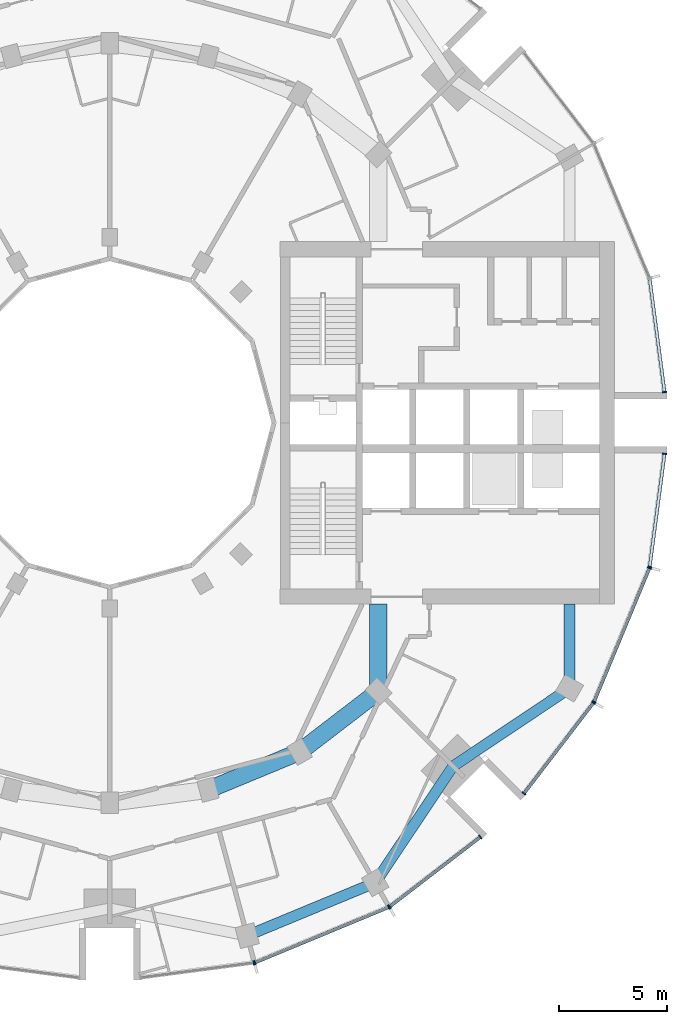
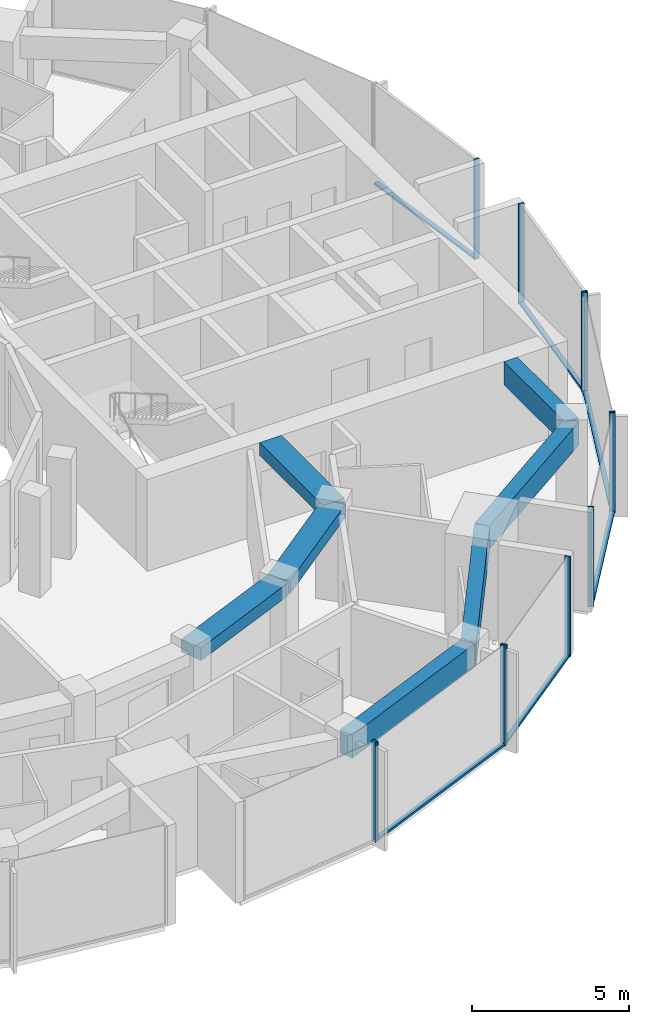
# One storey, part 4 of 15: 18 members, 7 beams, 7 elements without a shape of their own.
"""IFC4 building model written with IfcOpenShell, lengths in metres."""

from ifc_helpers import new_model, si_unit, direction, frame, origin, origin_2d, place, context, subcontext, project, spatial, rectangle, extrude, material, layer, layer_set, material_profile, profile_set, type_object, element, aggregate, save


model = new_model("IFC4")

# Units and contexts
model_context = context("Model", 3, precision=1e-05, world=origin(), true_north=direction((0.0, 1.0)))
body_context = subcontext(model_context, "Body", "Model", "MODEL_VIEW")
ifc_project = project(units=[si_unit("LENGTHUNIT", "METRE"), si_unit("AREAUNIT", "SQUARE_METRE"), si_unit("VOLUMEUNIT", "CUBIC_METRE"), si_unit("PLANEANGLEUNIT", "RADIAN"), si_unit("MASSUNIT", "GRAM", prefix="KILO")], contexts=[model_context])

# Site, building, storey
site_placement = place(None, origin())
site = spatial("IfcSite", under=ifc_project, at=site_placement, CompositionType="ELEMENT")
building_placement = place(site_placement, origin())
building = spatial("IfcBuilding", under=site, at=building_placement, Name="Torre Brocal", CompositionType="ELEMENT")
storey_placement = place(building_placement, frame((0.0, 0.0, 126.300048828125)))
storey = spatial("IfcBuildingStorey", under=building, at=storey_placement, Name="L29", CompositionType="ELEMENT", Elevation=126.300048828125)

# Curtain wall, member
ifc_material_1 = material(Name="Aluminium and glass", Category="aluminium")
ifc_layer_1 = layer(ifc_material_1, 0.199951171875)
ifc_layer_set_1 = layer_set([ifc_layer_1], Name="Aluminium and glass")
curtain_wall_type_1 = type_object("IfcCurtainWallType", Name="CW-1 CURTAIN WALL 3900 HIGH", PredefinedType="NOTDEFINED", material=ifc_layer_set_1)
curtain_wall_1_placement = place(storey_placement, origin())
curtain_wall_1 = element("IfcCurtainWall", 1, at=curtain_wall_1_placement, inside=storey, type_object=curtain_wall_type_1, Name="CW-1 RUN 19", PredefinedType="NOTDEFINED")
ifc_material_2 = material(Name="Aluminium, dark anodised", Category="aluminium")
ifc_material_profile_1 = material_profile(ifc_material_2, rectangle(XDim=0.199951171875, YDim=0.06005859375, at=origin_2d()), Name="CW-1 MULLION 60X200")
ifc_profile_set_1 = profile_set([ifc_material_profile_1], Name="Aluminium, dark anodised")
member_type_1 = type_object("IfcMemberType", Name="CW-1 MULLION 60X200", PredefinedType="MULLION", material=ifc_profile_set_1)
member_1_placement = place(storey_placement, frame((86.67333984375, 49.9794921875, 0.0), z_axis=(0.0, 0.0, 1.0), x_axis=(-0.13052619222, 0.991444861374, 0.0)))
member_1 = element("IfcMember", 2, at=member_1_placement, type_object=member_type_1, Name="CW1-3 mullion 2", PredefinedType="MULLION", context=body_context, shape_type="SweptSolid", body=[
    extrude(rectangle(XDim=0.199951171875, YDim=0.06005859375, at=origin_2d()), origin(), (0.0, 0.0, 1.0), 3.89990234375),
])
aggregate(curtain_wall_1, [member_1])

# Curtain wall, members
curtain_wall_2_placement = place(storey_placement, origin())
curtain_wall_2 = element("IfcCurtainWall", 3, at=curtain_wall_2_placement, inside=storey, type_object=curtain_wall_type_1, Name="CW-1 RUN 20", PredefinedType="NOTDEFINED")
member_2_placement = place(storey_placement, frame((86.73095703125, 49.994873046875, 0.0), z_axis=(0.0, 0.0, 1.0), x_axis=(-0.382683432333, 0.923879532525, 0.0)))
member_2 = element("IfcMember", 4, at=member_2_placement, type_object=member_type_1, Name="CW1-3 mullion 1", PredefinedType="MULLION", context=body_context, shape_type="SweptSolid", body=[
    extrude(rectangle(XDim=0.199951171875, YDim=0.06005859375, at=origin_2d()), origin(), (0.0, 0.0, 1.0), 3.89990234375),
])
member_3_placement = place(storey_placement, frame((92.921875, 52.559326171875, 0.0), z_axis=(0.0, 0.0, 1.0), x_axis=(-0.382683432333, 0.923879532525, 0.0)))
member_3 = element("IfcMember", 5, at=member_3_placement, type_object=member_type_1, Name="CW1-3 mullion 2", PredefinedType="MULLION", context=body_context, shape_type="SweptSolid", body=[
    extrude(rectangle(XDim=0.199951171875, YDim=0.06005859375, at=origin_2d()), origin(), (0.0, 0.0, 1.0), 3.89990234375),
])

curtain_wall_3_placement = place(storey_placement, origin())
curtain_wall_3 = element("IfcCurtainWall", 6, at=curtain_wall_3_placement, inside=storey, type_object=curtain_wall_type_1, Name="CW-1 RUN 21", PredefinedType="NOTDEFINED")
member_4_placement = place(storey_placement, frame((92.973388671875, 52.5888671875, 0.0), z_axis=(0.0, 0.0, 1.0), x_axis=(-0.60876142905, 0.793353340259, 0.0)))
member_4 = element("IfcMember", 7, at=member_4_placement, type_object=member_type_1, Name="CW1-3 mullion 1", PredefinedType="MULLION", context=body_context, shape_type="SweptSolid", body=[
    extrude(rectangle(XDim=0.199951171875, YDim=0.06005859375, at=origin_2d()), origin(), (0.0, 0.0, 1.0), 3.89990234375),
])
member_5_placement = place(storey_placement, frame((97.16943359375, 55.80859375, 0.0), z_axis=(0.0, 0.0, 1.0), x_axis=(-0.60876142905, 0.793353340259, 0.0)))
member_5 = element("IfcMember", 8, at=member_5_placement, type_object=member_type_1, Name="CW1-3 mullion 2", PredefinedType="MULLION", context=body_context, shape_type="SweptSolid", body=[
    extrude(rectangle(XDim=0.199951171875, YDim=0.06005859375, at=origin_2d()), origin(), (0.0, 0.0, 1.0), 3.89990234375),
])

curtain_wall_4_placement = place(storey_placement, origin())
curtain_wall_4 = element("IfcCurtainWall", 9, at=curtain_wall_4_placement, inside=storey, type_object=curtain_wall_type_1, Name="CW-1 RUN 22", PredefinedType="NOTDEFINED")
member_6_placement = place(storey_placement, frame((99.19140625, 57.83056640625, 0.0), z_axis=(0.0, 0.0, 1.0), x_axis=(-0.793353340259, 0.60876142905, 0.0)))
member_6 = element("IfcMember", 10, at=member_6_placement, type_object=member_type_1, Name="CW1-3 mullion 1", PredefinedType="MULLION", context=body_context, shape_type="SweptSolid", body=[
    extrude(rectangle(XDim=0.199951171875, YDim=0.06005859375, at=origin_2d()), origin(), (0.0, 0.0, 1.0), 3.89990234375),
])
member_7_placement = place(storey_placement, frame((102.4111328125, 62.026611328125, 0.0), z_axis=(0.0, 0.0, 1.0), x_axis=(-0.793353340259, 0.60876142905, 0.0)))
member_7 = element("IfcMember", 11, at=member_7_placement, type_object=member_type_1, Name="CW1-3 mullion 2", PredefinedType="MULLION", context=body_context, shape_type="SweptSolid", body=[
    extrude(rectangle(XDim=0.199951171875, YDim=0.06005859375, at=origin_2d()), origin(), (0.0, 0.0, 1.0), 3.89990234375),
])

curtain_wall_5_placement = place(storey_placement, origin())
curtain_wall_5 = element("IfcCurtainWall", 12, at=curtain_wall_5_placement, inside=storey, type_object=curtain_wall_type_1, Name="CW-1 RUN 23", PredefinedType="NOTDEFINED")
member_8_placement = place(storey_placement, frame((102.440673828125, 62.078125, 0.0), z_axis=(0.0, 0.0, 1.0), x_axis=(-0.923879532525, 0.382683432333, 0.0)))
member_8 = element("IfcMember", 13, at=member_8_placement, type_object=member_type_1, Name="CW1-3 mullion 1", PredefinedType="MULLION", context=body_context, shape_type="SweptSolid", body=[
    extrude(rectangle(XDim=0.199951171875, YDim=0.06005859375, at=origin_2d()), origin(), (0.0, 0.0, 1.0), 3.89990234375),
])
member_9_placement = place(storey_placement, frame((105.005126953125, 68.26904296875, 0.0), z_axis=(0.0, 0.0, 1.0), x_axis=(-0.923879532525, 0.382683432333, 0.0)))
member_9 = element("IfcMember", 14, at=member_9_placement, type_object=member_type_1, Name="CW1-3 mullion 2", PredefinedType="MULLION", context=body_context, shape_type="SweptSolid", body=[
    extrude(rectangle(XDim=0.199951171875, YDim=0.06005859375, at=origin_2d()), origin(), (0.0, 0.0, 1.0), 3.89990234375),
])

# Member
ifc_material_3 = material(Name="Aluminium, dark anodised", Category="aluminium")
ifc_material_profile_2 = material_profile(ifc_material_3, rectangle(XDim=0.159912109375, YDim=0.080078125, at=origin_2d()), Name="CW-1 TRANSOM 160X80")
ifc_profile_set_2 = profile_set([ifc_material_profile_2], Name="Aluminium, dark anodised")
member_type_2 = type_object("IfcMemberType", Name="CW-1 TRANSOM 160X80", PredefinedType="USERDEFINED", material=ifc_profile_set_2)
member_10_placement = place(storey_placement, frame((86.758544921875, 50.00634765625, 0.0400390625), z_axis=(0.923887344364, 0.38266457234, 0.0), x_axis=(-0.38266457234, 0.923887344364, 0.0)))
member_10 = element("IfcMember", 15, at=member_10_placement, type_object=member_type_2, Name="CW1-3 transom 1.1", ObjectType="TRANSOM", PredefinedType="USERDEFINED", context=body_context, shape_type="SweptSolid", body=[
    extrude(rectangle(XDim=0.159912109375, YDim=0.080078125, at=origin_2d()), origin(), (0.0, 0.0, 1.0), 6.640869140625),
])

aggregate(curtain_wall_2, [member_2, member_3, member_10])

member_11_placement = place(storey_placement, frame((92.9970703125, 52.607177734375, 0.0400390625), z_axis=(0.79336281513, 0.60874908096, 0.0), x_axis=(-0.60874908096, 0.79336281513, 0.0)))
member_11 = element("IfcMember", 16, at=member_11_placement, type_object=member_type_2, Name="CW1-3 transom 1.1", ObjectType="TRANSOM", PredefinedType="USERDEFINED", context=body_context, shape_type="SweptSolid", body=[
    extrude(rectangle(XDim=0.159912109375, YDim=0.080078125, at=origin_2d()), origin(), (0.0, 0.0, 1.0), 5.22900390625),
])

aggregate(curtain_wall_3, [member_4, member_5, member_11])

member_12_placement = place(storey_placement, frame((99.209716796875, 57.8544921875, 0.0400390625), z_axis=(0.60874908096, 0.79336281513, 0.0), x_axis=(-0.79336281513, 0.60874908096, 0.0)))
member_12 = element("IfcMember", 17, at=member_12_placement, type_object=member_type_2, Name="CW1-3 transom 1.1", ObjectType="TRANSOM", PredefinedType="USERDEFINED", context=body_context, shape_type="SweptSolid", body=[
    extrude(rectangle(XDim=0.159912109375, YDim=0.080078125, at=origin_2d()), origin(), (0.0, 0.0, 1.0), 5.22900390625),
])

aggregate(curtain_wall_4, [member_6, member_7, member_12])

member_13_placement = place(storey_placement, frame((102.452392578125, 62.10595703125, 0.0400390625), z_axis=(0.38266457234, 0.923887344364, 0.0), x_axis=(-0.923887344364, 0.38266457234, 0.0)))
member_13 = element("IfcMember", 18, at=member_13_placement, type_object=member_type_2, Name="CW1-3 transom 1.1", ObjectType="TRANSOM", PredefinedType="USERDEFINED", context=body_context, shape_type="SweptSolid", body=[
    extrude(rectangle(XDim=0.159912109375, YDim=0.080078125, at=origin_2d()), origin(), (0.0, 0.0, 1.0), 6.640869140625),
])

aggregate(curtain_wall_5, [member_8, member_9, member_13])

# Curtain wall, member
ifc_material_4 = material(Name="Aluminium and glass", Category="aluminium")
ifc_layer_2 = layer(ifc_material_4, 0.199951171875)
ifc_layer_set_2 = layer_set([ifc_layer_2], Name="Aluminium and glass")
curtain_wall_type_2 = type_object("IfcCurtainWallType", Name="CW-1B CURTAIN WALL 3900 HIGH", PredefinedType="NOTDEFINED", material=ifc_layer_set_2)
curtain_wall_6_placement = place(storey_placement, origin())
curtain_wall_6 = element("IfcCurtainWall", 19, at=curtain_wall_6_placement, inside=storey, type_object=curtain_wall_type_2, Name="CW-1B RUN 1", PredefinedType="NOTDEFINED")
ifc_material_5 = material(Name="Aluminium, dark anodised", Category="aluminium")
ifc_material_profile_3 = material_profile(ifc_material_5, rectangle(XDim=0.199951171875, YDim=0.06005859375, at=origin_2d()), Name="CW-1B MULLION 60X200")
ifc_profile_set_3 = profile_set([ifc_material_profile_3], Name="Aluminium, dark anodised")
member_type_3 = type_object("IfcMemberType", Name="CW-1B MULLION 60X200", PredefinedType="MULLION", material=ifc_profile_set_3)
member_14_placement = place(storey_placement, frame((105.7109375, 76.4296875, 0.0), z_axis=(0.0, 0.0, 1.0), x_axis=(-0.991444861374, -0.13052619222, 0.0)))
member_14 = element("IfcMember", 20, at=member_14_placement, type_object=member_type_3, Name="CW1B-3 mullion 1", PredefinedType="MULLION", context=body_context, shape_type="SweptSolid", body=[
    extrude(rectangle(XDim=0.199951171875, YDim=0.06005859375, at=origin_2d()), origin(), (0.0, 0.0, 1.0), 3.89990234375),
])

# Curtain wall, members
curtain_wall_7_placement = place(storey_placement, origin())
curtain_wall_7 = element("IfcCurtainWall", 21, at=curtain_wall_7_placement, inside=storey, type_object=curtain_wall_type_2, Name="CW-1B RUN 24", PredefinedType="NOTDEFINED")
member_15_placement = place(storey_placement, frame((105.0205078125, 68.32666015625, 0.0), z_axis=(0.0, 0.0, 1.0), x_axis=(-0.991444861374, 0.13052619222, 0.0)))
member_15 = element("IfcMember", 22, at=member_15_placement, type_object=member_type_3, Name="CW1B-3 mullion 1", PredefinedType="MULLION", context=body_context, shape_type="SweptSolid", body=[
    extrude(rectangle(XDim=0.199951171875, YDim=0.06005859375, at=origin_2d()), origin(), (0.0, 0.0, 1.0), 3.89990234375),
])
member_16_placement = place(storey_placement, frame((105.7109375, 73.5703125, 0.0), z_axis=(0.0, 0.0, 1.0), x_axis=(-0.991444861374, 0.13052619222, 0.0)))
member_16 = element("IfcMember", 23, at=member_16_placement, type_object=member_type_3, Name="CW1B-3 mullion 2", PredefinedType="MULLION", context=body_context, shape_type="SweptSolid", body=[
    extrude(rectangle(XDim=0.199951171875, YDim=0.06005859375, at=origin_2d()), origin(), (0.0, 0.0, 1.0), 3.89990234375),
])

# Member
ifc_material_6 = material(Name="Aluminium, dark anodised", Category="aluminium")
ifc_material_profile_4 = material_profile(ifc_material_6, rectangle(XDim=0.159912109375, YDim=0.080078125, at=origin_2d()), Name="CW-1B TRANSOM 160X80")
ifc_profile_set_4 = profile_set([ifc_material_profile_4], Name="Aluminium, dark anodised")
member_type_4 = type_object("IfcMemberType", Name="CW-1B TRANSOM 160X80", PredefinedType="USERDEFINED", material=ifc_profile_set_4)
member_17_placement = place(storey_placement, frame((105.70703125, 76.45947265625, 0.0400390625), z_axis=(-0.130542677827, 0.991442690863, 0.0), x_axis=(-0.991442690863, -0.130542677827, 0.0)))
member_17 = element("IfcMember", 24, at=member_17_placement, type_object=member_type_4, Name="CW1B-3 transom 1.1", ObjectType="TRANSOM", PredefinedType="USERDEFINED", context=body_context, shape_type="SweptSolid", body=[
    extrude(rectangle(XDim=0.159912109375, YDim=0.080078125, at=origin_2d()), origin(), (0.0, 0.0, 1.0), 5.22900390625),
])

aggregate(curtain_wall_6, [member_14, member_17])

member_18_placement = place(storey_placement, frame((105.0244140625, 68.356201171875, 0.0400390625), z_axis=(0.130542677827, 0.991442690863, 0.0), x_axis=(-0.991442690863, 0.130542677827, 0.0)))
member_18 = element("IfcMember", 25, at=member_18_placement, type_object=member_type_4, Name="CW1B-3 transom 1.1", ObjectType="TRANSOM", PredefinedType="USERDEFINED", context=body_context, shape_type="SweptSolid", body=[
    extrude(rectangle(XDim=0.159912109375, YDim=0.080078125, at=origin_2d()), origin(), (0.0, 0.0, 1.0), 5.22900390625),
])

aggregate(curtain_wall_7, [member_15, member_16, member_18])

# Beams
ifc_material_7 = material(Name="Concrete C50", Category="concrete")
ifc_material_profile_5 = material_profile(ifc_material_7, rectangle(XDim=0.800048828125, YDim=0.5, at=origin_2d()), Name="RC 800X500")
ifc_profile_set_5 = profile_set([ifc_material_profile_5], Name="Concrete C50")
beam_type_1 = type_object("IfcBeamType", Name="RC BEAM 800X500 C50 TOP 3580", PredefinedType="BEAM", material=ifc_profile_set_5)
beam_1_placement = place(storey_placement, frame((84.55517578125, 57.999755859375, 3.329833984375), z_axis=(0.923878240166, 0.382686552348, 0.0), x_axis=(-0.382686552348, 0.923878240166, 0.0)))
element("IfcBeam", 26, at=beam_1_placement, inside=storey, type_object=beam_type_1, Name="Beam BT-28", PredefinedType="BEAM", context=body_context, shape_type="SweptSolid", body=[
    extrude(rectangle(XDim=0.800048828125, YDim=0.5, at=origin_2d()), origin(), (0.0, 0.0, 1.0), 4.5947265625),
])
beam_2_placement = place(storey_placement, frame((88.800048828125, 59.758056640625, 3.329833984375), z_axis=(0.793358265959, 0.6087550097, 0.0), x_axis=(-0.6087550097, 0.793358265959, 0.0)))
element("IfcBeam", 27, at=beam_2_placement, inside=storey, type_object=beam_type_1, Name="Beam BT-28", PredefinedType="BEAM", context=body_context, shape_type="SweptSolid", body=[
    extrude(rectangle(XDim=0.800048828125, YDim=0.5, at=origin_2d()), origin(), (0.0, 0.0, 1.0), 4.594482421875),
])
beam_3_placement = place(storey_placement, frame((92.445068359375, 62.554931640625, 3.329833984375), z_axis=(0.0, 1.0, 0.0), x_axis=(-1.0, 0.0, 0.0)))
element("IfcBeam", 28, at=beam_3_placement, inside=storey, type_object=beam_type_1, Name="Beam BT-28", PredefinedType="BEAM", context=body_context, shape_type="SweptSolid", body=[
    extrude(rectangle(XDim=0.800048828125, YDim=0.5, at=origin_2d()), origin(), (0.0, 0.0, 1.0), 4.045166015625),
])
ifc_material_8 = material(Name="Concrete C50", Category="concrete")
ifc_material_profile_6 = material_profile(ifc_material_8, rectangle(XDim=0.5, YDim=0.89990234375, at=origin_2d()), Name="RC 500X900")
ifc_profile_set_6 = profile_set([ifc_material_profile_6], Name="Concrete C50")
beam_type_2 = type_object("IfcBeamType", Name="RC SPANDREL BEAM 500X900 C50 TOP 3580", PredefinedType="SPANDREL", material=ifc_profile_set_6)
beam_4_placement = place(storey_placement, frame((86.366943359375, 51.23828125, 3.1298828125), z_axis=(0.923882462513, 0.382676358639, 0.0), x_axis=(-0.382676358639, 0.923882462513, 0.0)))
element("IfcBeam", 29, at=beam_4_placement, inside=storey, type_object=beam_type_2, Name="Beam BT-29", PredefinedType="SPANDREL", context=body_context, shape_type="SweptSolid", body=[
    extrude(rectangle(XDim=0.5, YDim=0.89990234375, at=origin_2d()), origin(), (0.0, 0.0, 1.0), 6.421875),
])
for number, where, z_axis, x_axis, name in (
    (30, (92.300048828125, 53.69580078125, 3.1298828125), (0.556157602282, 0.831076844476, 0.0), (-0.831076844476, 0.556157602282, 0.0), "Beam BT-29"),
    (31, (95.909912109375, 59.090087890625, 3.1298828125), (0.831076844476, 0.556157602282, 0.0), (-0.556157602282, 0.831076844476, 0.0), "Beam BT-29"),
):
    element("IfcBeam", number, at=place(storey_placement, frame(where, z_axis=z_axis, x_axis=x_axis)), inside=storey, type_object=beam_type_2, Name=name, PredefinedType="SPANDREL", context=body_context, shape_type="SweptSolid", body=[
        extrude(rectangle(XDim=0.5, YDim=0.89990234375, at=origin_2d()), origin(), (0.0, 0.0, 1.0), 6.49072265625),
    ])
beam_5_placement = place(storey_placement, frame((101.30419921875, 62.699951171875, 3.1298828125), z_axis=(0.0, 1.0, 0.0), x_axis=(-1.0, 0.0, 0.0)))
element("IfcBeam", 32, at=beam_5_placement, inside=storey, type_object=beam_type_2, Name="Beam BT-29", PredefinedType="SPANDREL", context=body_context, shape_type="SweptSolid", body=[
    extrude(rectangle(XDim=0.5, YDim=0.89990234375, at=origin_2d()), origin(), (0.0, 0.0, 1.0), 3.900146484375),
])

save(model, "model.ifc")
